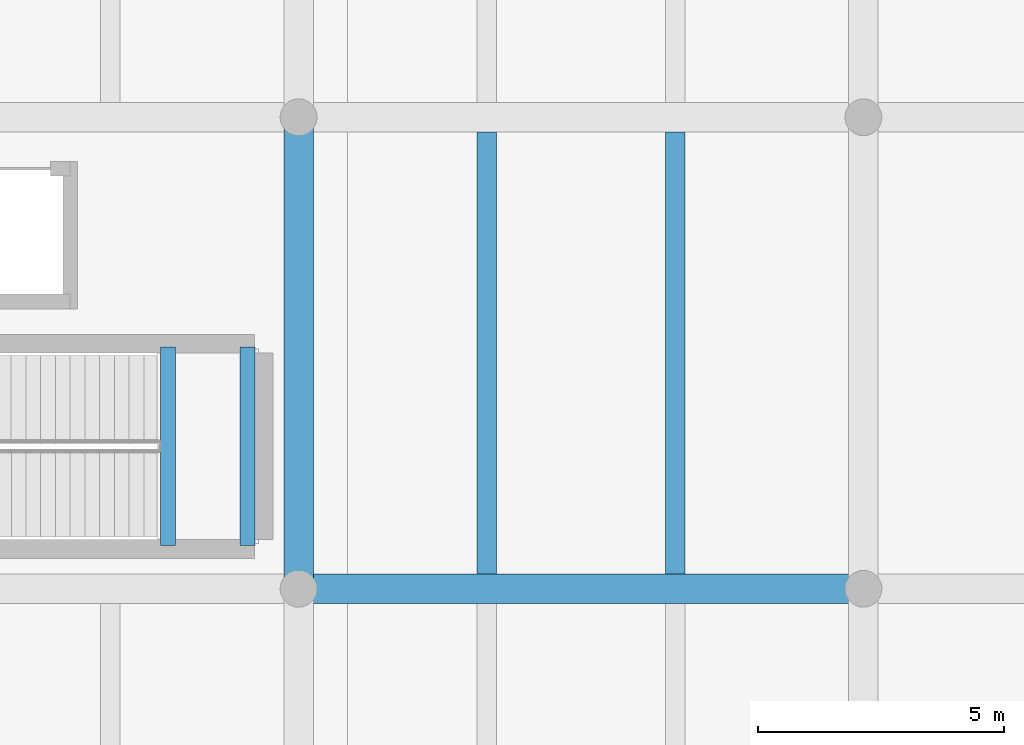
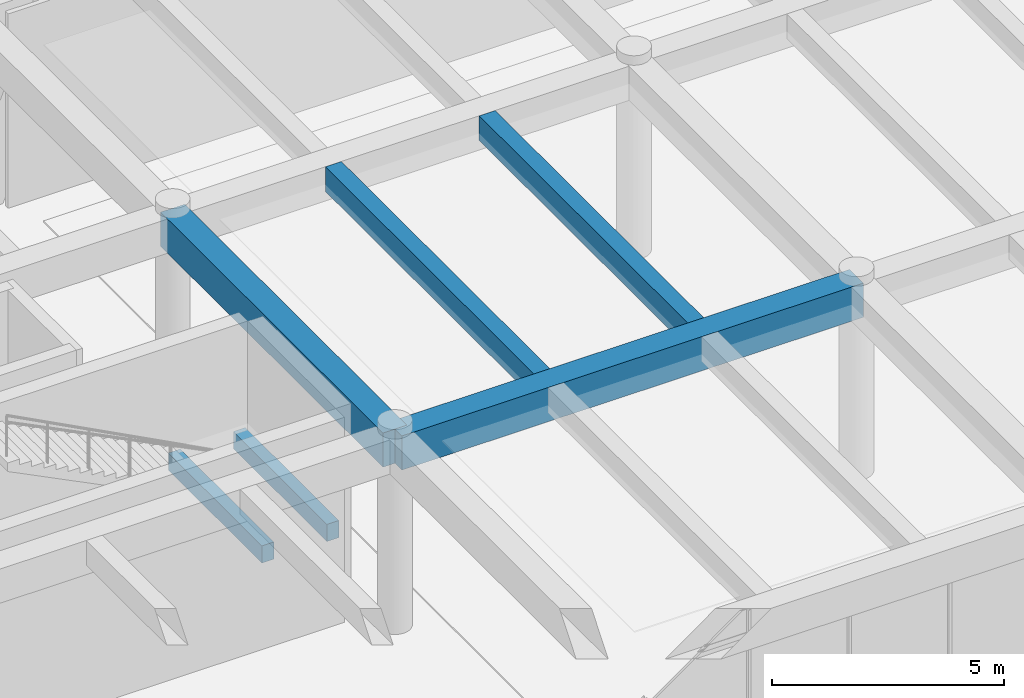
# One storey, part 27 of 148: 6 beams.
"""IFC4 building model written with IfcOpenShell, lengths in metres."""

from ifc_helpers import new_model, si_unit, direction, frame, origin, origin_2d, place, context, subcontext, project, spatial, rectangle, extrude, material, material_profile, profile_set, type_object, element, save


model = new_model("IFC4")

# Units and contexts
model_context = context("Model", 3, precision=1e-05, world=origin(), true_north=direction((0.0, 1.0)))
body_context = subcontext(model_context, "Body", "Model", "MODEL_VIEW")
ifc_project = project(units=[si_unit("LENGTHUNIT", "METRE"), si_unit("AREAUNIT", "SQUARE_METRE"), si_unit("VOLUMEUNIT", "CUBIC_METRE"), si_unit("PLANEANGLEUNIT", "RADIAN"), si_unit("MASSUNIT", "GRAM", prefix="KILO")], contexts=[model_context])

# Site, building, storey
site_placement = place(None, origin())
site = spatial("IfcSite", under=ifc_project, at=site_placement, CompositionType="ELEMENT")
building_placement = place(site_placement, origin())
building = spatial("IfcBuilding", under=site, at=building_placement, Name="Ologun Quay Terminus", CompositionType="ELEMENT")
storey_placement = place(building_placement, frame((0.0, 0.0, 8.39990234375)))
storey = spatial("IfcBuildingStorey", under=building, at=storey_placement, Name="L02", CompositionType="ELEMENT", Elevation=8.39990234375)

# Beams
ifc_material_1 = material(Name="Concrete C40/50", Category="concrete")
ifc_material_profile_1 = material_profile(ifc_material_1, rectangle(XDim=0.300048828125, YDim=0.449951171875, at=origin_2d()), Name="RC 300x450")
ifc_profile_set_1 = profile_set([ifc_material_profile_1], Name="Concrete C40/50")
beam_type_1 = type_object("IfcBeamType", Name="Core Coupling Lintel Beam 300x450", PredefinedType="LINTEL", material=ifc_profile_set_1)
for number, where, z_axis, x_axis, name in (
    (1, (66.340087890625, 18.47998046875, 2.295166015625), (0.0, 1.0, 0.0), (-1.0, 0.0, 0.0), "LN1 Half-Landing Ledger Beam ST-S3-W L02"),
    (2, (67.9599609375, 18.47998046875, 2.295166015625), (0.0, 1.0, 0.0), (-1.0, 0.0, 0.0), "LN1 Half-Landing Ledger Beam ST-S3-E L02"),
):
    element("IfcBeam", number, at=place(storey_placement, frame(where, z_axis=z_axis, x_axis=x_axis)), inside=storey, type_object=beam_type_1, Name=name, PredefinedType="LINTEL", context=body_context, shape_type="SweptSolid", body=[
        extrude(rectangle(XDim=0.300048828125, YDim=0.449951171875, at=origin_2d()), origin(), (0.0, 0.0, 1.0), 4.0400390625),
    ])
ifc_material_2 = material(Name="Concrete C40/50", Category="concrete")
ifc_material_profile_2 = material_profile(ifc_material_2, rectangle(XDim=0.60009765625, YDim=0.89990234375, at=origin_2d()), Name="RC 600x900")
ifc_profile_set_2 = profile_set([ifc_material_profile_2], Name="Concrete C40/50")
beam_type_2 = type_object("IfcBeamType", Name="Station Frame Girder 600x900", PredefinedType="BEAM", material=ifc_profile_set_2)
beam_1_placement = place(storey_placement, frame((69.0, 17.60009765625, 4.7001953125), z_axis=(1.0, 0.0, 0.0), x_axis=(0.0, 1.0, 0.0)))
element("IfcBeam", 3, at=beam_1_placement, inside=storey, type_object=beam_type_2, Name="B3 Beam 7/C L02", PredefinedType="BEAM", context=body_context, shape_type="SweptSolid", body=[
    extrude(rectangle(XDim=0.60009765625, YDim=0.89990234375, at=origin_2d()), origin(), (0.0, 0.0, 1.0), 11.5),
])
beam_2_placement = place(storey_placement, frame((69.0, 17.60009765625, 4.7001953125), z_axis=(0.0, 1.0, 0.0), x_axis=(-1.0, 0.0, 0.0)))
element("IfcBeam", 4, at=beam_2_placement, inside=storey, type_object=beam_type_2, Name="B3 Beam 7/C L02", PredefinedType="BEAM", context=body_context, shape_type="SweptSolid", body=[
    extrude(rectangle(XDim=0.60009765625, YDim=0.89990234375, at=origin_2d()), origin(), (0.0, 0.0, 1.0), 9.599853515625),
])
ifc_material_3 = material(Name="Concrete C40/50", Category="concrete")
ifc_material_profile_3 = material_profile(ifc_material_3, rectangle(XDim=0.39990234375, YDim=0.64990234375, at=origin_2d()), Name="RC 400x650")
ifc_profile_set_3 = profile_set([ifc_material_profile_3], Name="Concrete C40/50")
beam_type_3 = type_object("IfcBeamType", Name="Station Secondary Joist 400x650", PredefinedType="JOIST", material=ifc_profile_set_3)
for number, where, z_axis, x_axis, name in (
    (5, (72.833251953125, 17.89990234375, 4.8251953125), (0.0, 1.0, 0.0), (-1.0, 0.0, 0.0), "J1 Beam 7/C L02"),
    (6, (76.666748046875, 17.89990234375, 4.8251953125), (0.0, 1.0, 0.0), (-1.0, 0.0, 0.0), "J1 Beam 7/C L02"),
):
    element("IfcBeam", number, at=place(storey_placement, frame(where, z_axis=z_axis, x_axis=x_axis)), inside=storey, type_object=beam_type_3, Name=name, PredefinedType="JOIST", context=body_context, shape_type="SweptSolid", body=[
        extrude(rectangle(XDim=0.39990234375, YDim=0.64990234375, at=origin_2d()), origin(), (0.0, 0.0, 1.0), 9.0),
    ])

save(model, "model.ifc")
